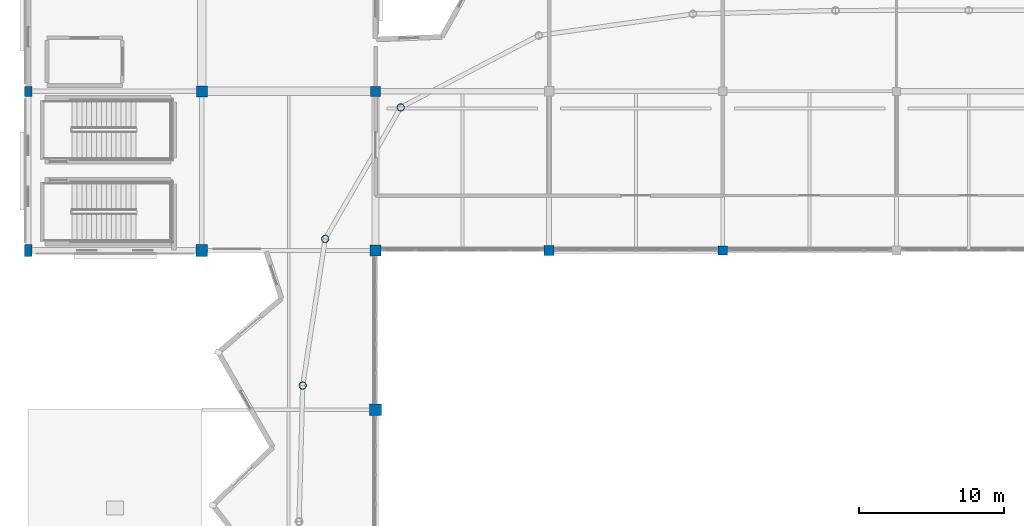
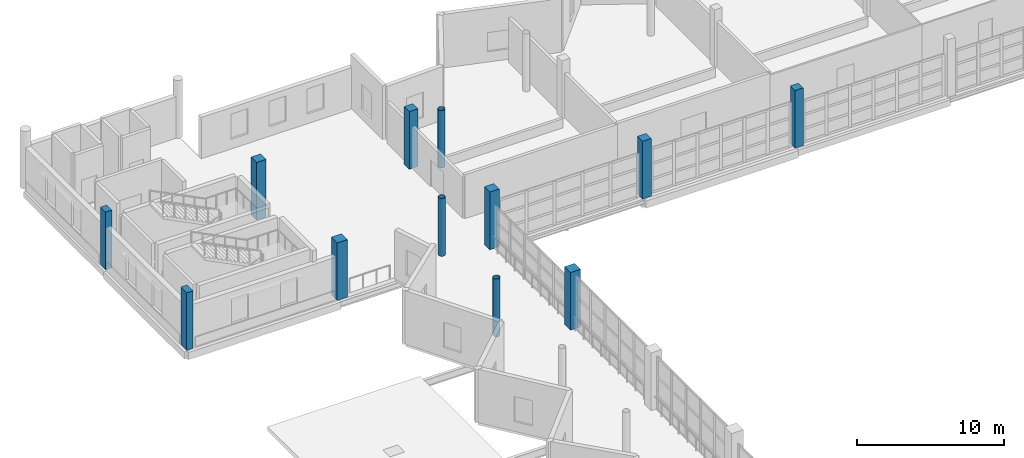
# One storey, part 6 of 53: 12 columns.
"""IFC4 building model written with IfcOpenShell, lengths in metres."""

from ifc_helpers import new_model, si_unit, direction, frame, origin, origin_2d, place, context, subcontext, project, spatial, rectangle, hollow_circle, extrude, material, material_profile, profile_set, type_object, element, save


model = new_model("IFC4")

# Units and contexts
model_context = context("Model", 3, precision=1e-05, world=origin(), true_north=direction((0.0, 1.0)))
body_context = subcontext(model_context, "Body", "Model", "MODEL_VIEW")
ifc_project = project(units=[si_unit("LENGTHUNIT", "METRE"), si_unit("AREAUNIT", "SQUARE_METRE"), si_unit("VOLUMEUNIT", "CUBIC_METRE"), si_unit("PLANEANGLEUNIT", "RADIAN"), si_unit("MASSUNIT", "GRAM", prefix="KILO")], contexts=[model_context])

# Site, building, storey
site_placement = place(None, origin())
site = spatial("IfcSite", under=ifc_project, at=site_placement, CompositionType="ELEMENT")
building_placement = place(site_placement, origin())
building = spatial("IfcBuilding", under=site, at=building_placement, Name="Luwafu Chhajja Arena", CompositionType="ELEMENT")
storey_placement = place(building_placement, frame((0.0, 0.0, 19.5)))
storey = spatial("IfcBuildingStorey", under=building, at=storey_placement, Name="L04", CompositionType="ELEMENT", Elevation=19.5)

# Columns
ifc_material_1 = material(Name="Concrete C35/45", Category="concrete")
ifc_material_profile_1 = material_profile(ifc_material_1, rectangle(XDim=0.5, YDim=0.800048828125, at=origin_2d()), Name="RC 500x800")
ifc_profile_set_1 = profile_set([ifc_material_profile_1], Name="Concrete C35/45")
column_type_1 = type_object("IfcColumnType", Name="BOH Frame Column RC 500x800", PredefinedType="COLUMN", material=ifc_profile_set_1)
column_1_placement = place(storey_placement, frame((34.0, 77.0, 0.0), z_axis=(0.0, 0.0, 1.0), x_axis=(1.0, 0.0, 0.0)))
element("IfcColumn", 1, at=column_1_placement, inside=storey, type_object=column_type_1, Name="L04 Grid Column 4/H", PredefinedType="COLUMN", context=body_context, shape_type="SweptSolid", body=[
    extrude(rectangle(XDim=0.5, YDim=0.800048828125, at=origin_2d()), origin(), (0.0, 0.0, 1.0), 4.800048828125),
])
ifc_material_profile_2 = material_profile(ifc_material_1, rectangle(XDim=0.800048828125, YDim=0.800048828125, at=origin_2d()), Name="RC 800x800")
ifc_profile_set_2 = profile_set([ifc_material_profile_2], Name="Concrete C35/45")
column_type_2 = type_object("IfcColumnType", Name="Concourse Standard Column RC 800", PredefinedType="COLUMN", material=ifc_profile_set_2)
for number, where, z_axis, x_axis, name in (
    (2, (46.0, 77.0, 0.0), (0.0, 0.0, 1.0), (1.0, 0.0, 0.0), "L04 Grid Column 5/H"),
    (3, (58.0, 66.0, 0.0), (0.0, 0.0, 1.0), (1.0, 0.0, 0.0), "L04 Grid Column 6/G"),
):
    element("IfcColumn", number, at=place(storey_placement, frame(where, z_axis=z_axis, x_axis=x_axis)), inside=storey, type_object=column_type_2, Name=name, PredefinedType="COLUMN", context=body_context, shape_type="SweptSolid", body=[
        extrude(rectangle(XDim=0.800048828125, YDim=0.800048828125, at=origin_2d()), origin(), (0.0, 0.0, 1.0), 4.800048828125),
    ])
ifc_material_profile_3 = material_profile(ifc_material_1, rectangle(XDim=0.75, YDim=0.75, at=origin_2d()), Name="RC 750x750")
ifc_profile_set_3 = profile_set([ifc_material_profile_3], Name="Concrete C35/45")
column_type_3 = type_object("IfcColumnType", Name="Hospitality Ring Column RC 750", PredefinedType="COLUMN", material=ifc_profile_set_3)
for number, where, z_axis, x_axis, name in (
    (4, (46.0, 88.0, 0.0), (0.0, 0.0, 1.0), (1.0, 0.0, 0.0), "L04 Grid Column 5/J"),
    (5, (58.0, 77.0, 0.0), (0.0, 0.0, 1.0), (1.0, 0.0, 0.0), "L04 Grid Column 6/H"),
):
    element("IfcColumn", number, at=place(storey_placement, frame(where, z_axis=z_axis, x_axis=x_axis)), inside=storey, type_object=column_type_3, Name=name, PredefinedType="COLUMN", context=body_context, shape_type="SweptSolid", body=[
        extrude(rectangle(XDim=0.75, YDim=0.75, at=origin_2d()), origin(), (0.0, 0.0, 1.0), 4.800048828125),
    ])
ifc_material_profile_4 = material_profile(ifc_material_1, rectangle(XDim=0.5, YDim=0.699951171875, at=origin_2d()), Name="RC 500x700")
ifc_profile_set_4 = profile_set([ifc_material_profile_4], Name="Concrete C35/45")
column_type_4 = type_object("IfcColumnType", Name="Perimeter Pilaster Column RC 500x700", PredefinedType="COLUMN", material=ifc_profile_set_4)
column_2_placement = place(storey_placement, frame((34.0, 88.0, 0.0), z_axis=(0.0, 0.0, 1.0), x_axis=(1.0, 0.0, 0.0)))
element("IfcColumn", 6, at=column_2_placement, inside=storey, type_object=column_type_4, Name="L04 Grid Column 4/J", PredefinedType="COLUMN", context=body_context, shape_type="SweptSolid", body=[
    extrude(rectangle(XDim=0.5, YDim=0.699951171875, at=origin_2d()), origin(), (0.0, 0.0, 1.0), 4.800048828125),
])
ifc_material_2 = material(Name="Steel S355", Category="steel")
ifc_material_profile_5 = material_profile(ifc_material_2, hollow_circle(Radius=0.25390625, WallThickness=0.02001953125, at=origin_2d()), Name="CHS 508x20")
ifc_profile_set_5 = profile_set([ifc_material_profile_5], Name="Steel S355")
column_type_5 = type_object("IfcColumnType", Name="Steel Upper Drum Column CHS 508", PredefinedType="COLUMN", material=ifc_profile_set_5)
for number, where, z_axis, x_axis, name in (
    (7, (59.743896484375, 86.890869140625, 0.0), (0.0, 0.0, 1.0), (1.0, 0.0, 0.0), "L04 Bowl Drum Column D13"),
    (8, (54.52392578125, 77.805908203125, 0.0), (0.0, 0.0, 1.0), (1.0, 0.0, 0.0), "L04 Bowl Drum Column D14"),
    (9, (52.968017578125, 67.6611328125, 0.0), (0.0, 0.0, 1.0), (1.0, 0.0, 0.0), "L04 Bowl Drum Column D15"),
):
    element("IfcColumn", number, at=place(storey_placement, frame(where, z_axis=z_axis, x_axis=x_axis)), inside=storey, type_object=column_type_5, Name=name, PredefinedType="COLUMN", context=body_context, shape_type="SweptSolid", body=[
        extrude(hollow_circle(Radius=0.25390625, WallThickness=0.02001953125, at=origin_2d()), origin(), (0.0, 0.0, 1.0), 4.800048828125),
    ])
ifc_material_profile_6 = material_profile(ifc_material_1, rectangle(XDim=0.64990234375, YDim=0.64990234375, at=origin_2d()), Name="RC 650x650")
ifc_profile_set_6 = profile_set([ifc_material_profile_6], Name="Concrete C35/45")
column_type_6 = type_object("IfcColumnType", Name="Upper Wing Column RC 650", PredefinedType="COLUMN", material=ifc_profile_set_6)
column_3_placement = place(storey_placement, frame((82.0, 77.0, 0.0), z_axis=(0.0, 0.0, 1.0), x_axis=(1.0, 0.0, 0.0)))
element("IfcColumn", 10, at=column_3_placement, inside=storey, type_object=column_type_6, Name="L04 Grid Column 8/H", PredefinedType="COLUMN", context=body_context, shape_type="SweptSolid", body=[
    extrude(rectangle(XDim=0.64990234375, YDim=0.64990234375, at=origin_2d()), origin(), (0.0, 0.0, 1.0), 4.800048828125),
])
ifc_material_profile_7 = material_profile(ifc_material_1, rectangle(XDim=0.699951171875, YDim=0.699951171875, at=origin_2d()), Name="RC 700x700")
ifc_profile_set_7 = profile_set([ifc_material_profile_7], Name="Concrete C35/45")
column_type_7 = type_object("IfcColumnType", Name="Wing Frame Column RC 700", PredefinedType="COLUMN", material=ifc_profile_set_7)
for number, where, z_axis, x_axis, name in (
    (11, (58.0, 88.0, 0.0), (0.0, 0.0, 1.0), (1.0, 0.0, 0.0), "L04 Grid Column 6/J"),
    (12, (70.0, 77.0, 0.0), (0.0, 0.0, 1.0), (1.0, 0.0, 0.0), "L04 Grid Column 7/H"),
):
    element("IfcColumn", number, at=place(storey_placement, frame(where, z_axis=z_axis, x_axis=x_axis)), inside=storey, type_object=column_type_7, Name=name, PredefinedType="COLUMN", context=body_context, shape_type="SweptSolid", body=[
        extrude(rectangle(XDim=0.699951171875, YDim=0.699951171875, at=origin_2d()), origin(), (0.0, 0.0, 1.0), 4.800048828125),
    ])

save(model, "model.ifc")
